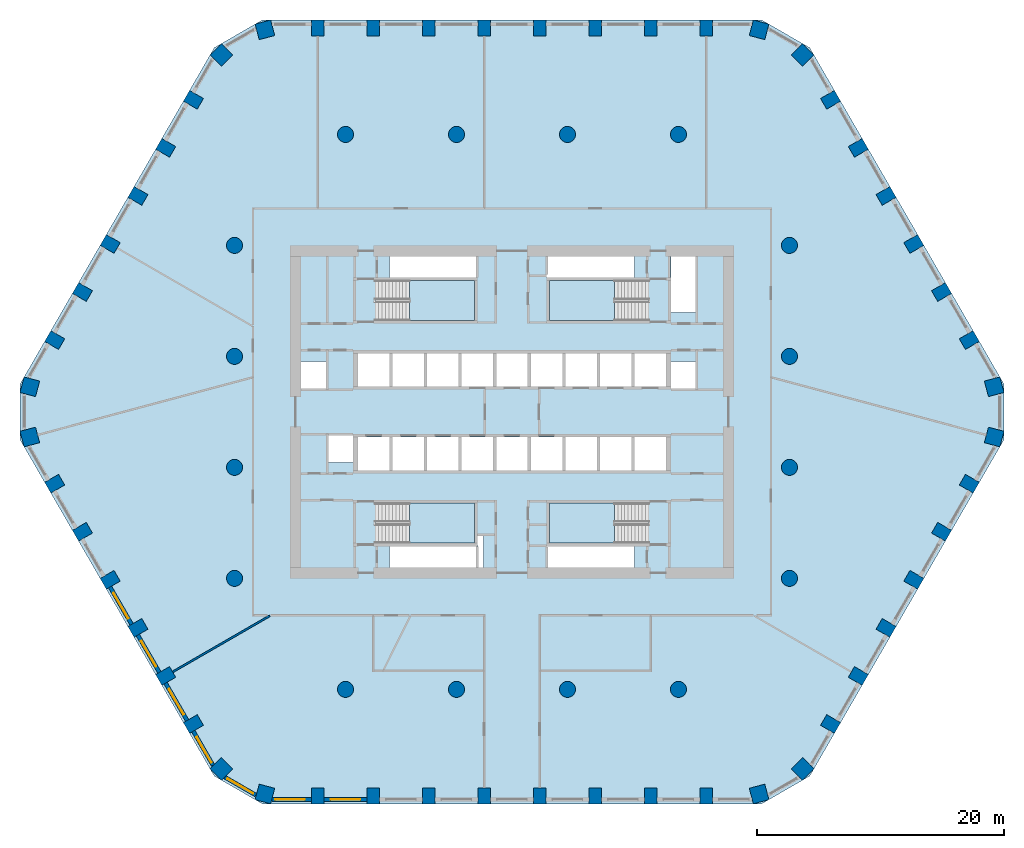
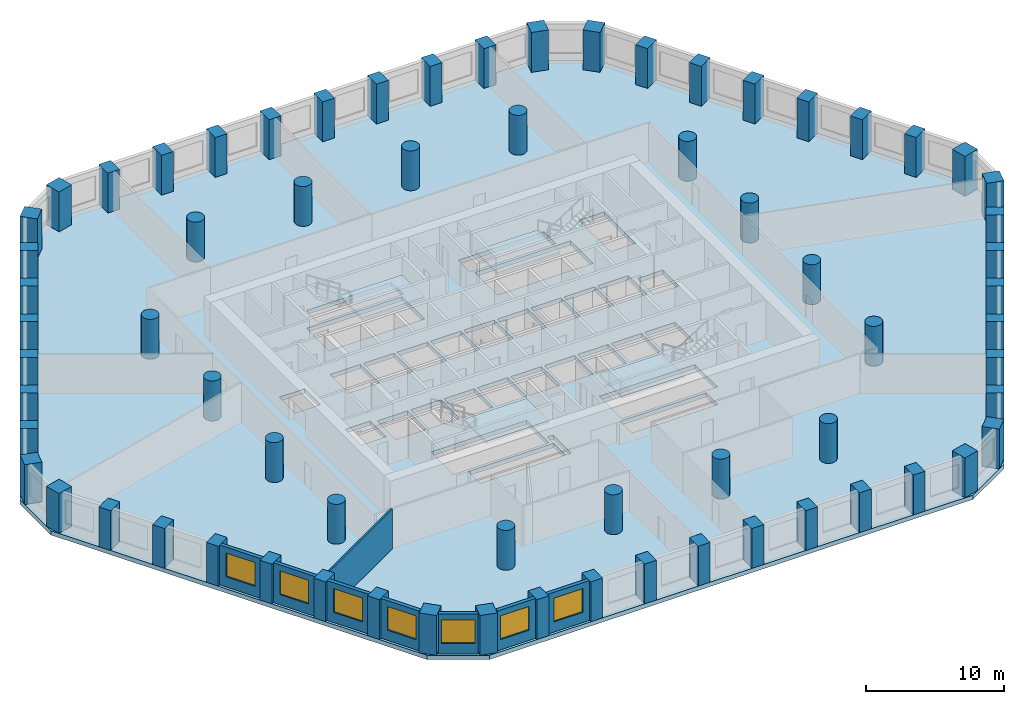
# One storey, part 1 of 9: 68 columns, 8 walls, 7 windows, 5 slabs, 7 openings, 4 elements without a shape of their own.
"""IFC4 building model written with IfcOpenShell, lengths in metres."""

from ifc_helpers import new_model, si_unit, direction, frame, frame_2d, origin, origin_2d, place, context, subcontext, project, spatial, polyline, rectangle, circle, outline, extrude, material, layer, layer_set, material_profile, profile_set, type_object, element, fill, aggregate, save


model = new_model("IFC4")

# Units and contexts
model_context = context("Model", 3, precision=1e-05, world=origin(), true_north=direction((0.0, 1.0)))
body_context = subcontext(model_context, "Body", "Model", "MODEL_VIEW")
ifc_project = project(units=[si_unit("LENGTHUNIT", "METRE"), si_unit("AREAUNIT", "SQUARE_METRE"), si_unit("VOLUMEUNIT", "CUBIC_METRE"), si_unit("PLANEANGLEUNIT", "RADIAN"), si_unit("MASSUNIT", "GRAM", prefix="KILO")], contexts=[model_context])

# Site, building, storey
site_placement = place(None, origin())
site = spatial("IfcSite", under=ifc_project, at=site_placement, CompositionType="ELEMENT")
building_placement = place(site_placement, origin())
building = spatial("IfcBuilding", under=site, at=building_placement, Name="Dhurran Vertical Campus", CompositionType="ELEMENT")
storey_placement = place(building_placement, frame((0.0, 0.0, 120.300048828125)))
storey = spatial("IfcBuildingStorey", under=building, at=storey_placement, Name="L29", CompositionType="ELEMENT", Elevation=120.300048828125)

# Columns
ifc_material_1 = material(Name="Concrete C60/75", Category="concrete")
ifc_material_profile_1 = material_profile(ifc_material_1, rectangle(XDim=1.0, YDim=1.300048828125, at=origin_2d()), Name="RC 1000x1300")
ifc_profile_set_1 = profile_set([ifc_material_profile_1], Name="Concrete C60/75")
column_type_1 = type_object("IfcColumnType", Name="FR COL RC 1000x1300 C60/75", PredefinedType="COLUMN", material=ifc_profile_set_1)
for number, where, z_axis, x_axis, name in (
    (1, (-15.75, -31.1298828125, 0.0), (0.0, 0.0, 1.0), (1.0, 0.0, 0.0), "Perimeter pier PP2.01"),
    (2, (-11.25, -31.1298828125, 0.0), (0.0, 0.0, 1.0), (1.0, 0.0, 0.0), "Perimeter pier PP2.02"),
    (3, (-6.75, -31.1298828125, 0.0), (0.0, 0.0, 1.0), (1.0, 0.0, 0.0), "Perimeter pier PP2.03"),
    (4, (-2.25, -31.1298828125, 0.0), (0.0, 0.0, 1.0), (1.0, 0.0, 0.0), "Perimeter pier PP2.04"),
    (5, (2.25, -31.1298828125, 0.0), (0.0, 0.0, 1.0), (1.0, 0.0, 0.0), "Perimeter pier PP2.05"),
    (6, (6.75, -31.1298828125, 0.0), (0.0, 0.0, 1.0), (1.0, 0.0, 0.0), "Perimeter pier PP2.06"),
    (7, (11.25, -31.1298828125, 0.0), (0.0, 0.0, 1.0), (1.0, 0.0, 0.0), "Perimeter pier PP2.07"),
    (8, (15.75, -31.1298828125, 0.0), (0.0, 0.0, 1.0), (1.0, 0.0, 0.0), "Perimeter pier PP2.08"),
    (9, (25.834228515625, -25.3076171875, 0.0), (0.0, 0.0, 1.0), (0.5, 0.866025403784, 0.0), "Perimeter pier PP2.11"),
    (10, (28.084228515625, -21.41064453125, 0.0), (0.0, 0.0, 1.0), (0.5, 0.866025403784, 0.0), "Perimeter pier PP2.12"),
    (11, (30.334228515625, -17.513427734375, 0.0), (0.0, 0.0, 1.0), (0.5, 0.866025403784, 0.0), "Perimeter pier PP2.13"),
    (12, (32.584228515625, -13.6162109375, 0.0), (0.0, 0.0, 1.0), (0.5, 0.866025403784, 0.0), "Perimeter pier PP2.14"),
    (13, (34.834228515625, -9.71923828125, 0.0), (0.0, 0.0, 1.0), (0.5, 0.866025403784, 0.0), "Perimeter pier PP2.15"),
    (14, (37.084228515625, -5.822021484375, 0.0), (0.0, 0.0, 1.0), (0.5, 0.866025403784, 0.0), "Perimeter pier PP2.16"),
    (15, (37.084228515625, 5.822021484375, 0.0), (0.0, 0.0, 1.0), (-0.5, 0.866025403784, 0.0), "Perimeter pier PP2.19"),
    (16, (34.834228515625, 9.71923828125, 0.0), (0.0, 0.0, 1.0), (-0.5, 0.866025403784, 0.0), "Perimeter pier PP2.20"),
    (17, (32.584228515625, 13.6162109375, 0.0), (0.0, 0.0, 1.0), (-0.5, 0.866025403784, 0.0), "Perimeter pier PP2.21"),
    (18, (30.334228515625, 17.513427734375, 0.0), (0.0, 0.0, 1.0), (-0.5, 0.866025403784, 0.0), "Perimeter pier PP2.22"),
    (19, (28.084228515625, 21.41064453125, 0.0), (0.0, 0.0, 1.0), (-0.5, 0.866025403784, 0.0), "Perimeter pier PP2.23"),
    (20, (25.834228515625, 25.3076171875, 0.0), (0.0, 0.0, 1.0), (-0.5, 0.866025403784, 0.0), "Perimeter pier PP2.24"),
    (21, (15.75, 31.1298828125, 0.0), (0.0, 0.0, 1.0), (-1.0, 0.0, 0.0), "Perimeter pier PP2.27"),
    (22, (11.25, 31.1298828125, 0.0), (0.0, 0.0, 1.0), (-1.0, 0.0, 0.0), "Perimeter pier PP2.28"),
    (23, (6.75, 31.1298828125, 0.0), (0.0, 0.0, 1.0), (-1.0, 0.0, 0.0), "Perimeter pier PP2.29"),
    (24, (2.25, 31.1298828125, 0.0), (0.0, 0.0, 1.0), (-1.0, 0.0, 0.0), "Perimeter pier PP2.30"),
    (25, (-2.25, 31.1298828125, 0.0), (0.0, 0.0, 1.0), (-1.0, 0.0, 0.0), "Perimeter pier PP2.31"),
    (26, (-6.75, 31.1298828125, 0.0), (0.0, 0.0, 1.0), (-1.0, 0.0, 0.0), "Perimeter pier PP2.32"),
    (27, (-11.25, 31.1298828125, 0.0), (0.0, 0.0, 1.0), (-1.0, 0.0, 0.0), "Perimeter pier PP2.33"),
    (28, (-15.75, 31.1298828125, 0.0), (0.0, 0.0, 1.0), (-1.0, 0.0, 0.0), "Perimeter pier PP2.34"),
    (29, (-25.834228515625, 25.3076171875, 0.0), (0.0, 0.0, 1.0), (-0.5, -0.866025403784, 0.0), "Perimeter pier PP2.37"),
    (30, (-28.084228515625, 21.41064453125, 0.0), (0.0, 0.0, 1.0), (-0.5, -0.866025403784, 0.0), "Perimeter pier PP2.38"),
    (31, (-30.334228515625, 17.513427734375, 0.0), (0.0, 0.0, 1.0), (-0.5, -0.866025403784, 0.0), "Perimeter pier PP2.39"),
    (32, (-32.584228515625, 13.6162109375, 0.0), (0.0, 0.0, 1.0), (-0.5, -0.866025403784, 0.0), "Perimeter pier PP2.40"),
    (33, (-34.834228515625, 9.71923828125, 0.0), (0.0, 0.0, 1.0), (-0.5, -0.866025403784, 0.0), "Perimeter pier PP2.41"),
    (34, (-37.084228515625, 5.822021484375, 0.0), (0.0, 0.0, 1.0), (-0.5, -0.866025403784, 0.0), "Perimeter pier PP2.42"),
    (35, (-37.084228515625, -5.822021484375, 0.0), (0.0, 0.0, 1.0), (0.5, -0.866025403784, 0.0), "Perimeter pier PP2.45"),
    (36, (-34.834228515625, -9.71923828125, 0.0), (0.0, 0.0, 1.0), (0.5, -0.866025403784, 0.0), "Perimeter pier PP2.46"),
    (37, (-32.584228515625, -13.6162109375, 0.0), (0.0, 0.0, 1.0), (0.5, -0.866025403784, 0.0), "Perimeter pier PP2.47"),
    (38, (-30.334228515625, -17.513427734375, 0.0), (0.0, 0.0, 1.0), (0.5, -0.866025403784, 0.0), "Perimeter pier PP2.48"),
    (39, (-28.084228515625, -21.41064453125, 0.0), (0.0, 0.0, 1.0), (0.5, -0.866025403784, 0.0), "Perimeter pier PP2.49"),
    (40, (-25.834228515625, -25.3076171875, 0.0), (0.0, 0.0, 1.0), (0.5, -0.866025403784, 0.0), "Perimeter pier PP2.50"),
):
    element("IfcColumn", number, at=place(storey_placement, frame(where, z_axis=z_axis, x_axis=x_axis)), inside=storey, type_object=column_type_1, Name=name, PredefinedType="COLUMN", context=body_context, shape_type="SweptSolid", body=[
        extrude(rectangle(XDim=1.0, YDim=1.300048828125, at=origin_2d()), origin(), (0.0, 0.0, 1.0), 3.52490234375),
    ])
ifc_material_2 = material(Name="Concrete C60/75", Category="concrete")
ifc_material_profile_2 = material_profile(ifc_material_2, rectangle(XDim=1.300048828125, YDim=1.300048828125, at=origin_2d()), Name="RC 1300x1300")
ifc_profile_set_2 = profile_set([ifc_material_profile_2], Name="Concrete C60/75")
column_type_2 = type_object("IfcColumnType", Name="FR COL RC 1300x1300 C60/75", PredefinedType="COLUMN", material=ifc_profile_set_2)
for number, where, z_axis, x_axis, name in (
    (41, (-20.03662109375, -30.983642578125, 0.0), (0.0, 0.0, 1.0), (0.965925826289, -0.258819045103, 0.0), "Perimeter pier PP2.00"),
    (42, (20.03662109375, -30.983642578125, 0.0), (0.0, 0.0, 1.0), (0.965925826289, 0.258819045103, 0.0), "Perimeter pier PP2.09"),
    (43, (23.564208984375, -28.947021484375, 0.0), (0.0, 0.0, 1.0), (0.707106781187, 0.707106781187, 0.0), "Perimeter pier PP2.10"),
    (44, (39.10107421875, -2.03662109375, 0.0), (0.0, 0.0, 1.0), (0.258819045103, 0.965925826289, 0.0), "Perimeter pier PP2.17"),
    (45, (39.10107421875, 2.03662109375, 0.0), (0.0, 0.0, 1.0), (-0.258819045103, 0.965925826289, 0.0), "Perimeter pier PP2.18"),
    (46, (23.564208984375, 28.947021484375, 0.0), (0.0, 0.0, 1.0), (-0.707106781187, 0.707106781187, 0.0), "Perimeter pier PP2.25"),
    (47, (20.03662109375, 30.983642578125, 0.0), (0.0, 0.0, 1.0), (-0.965925826289, 0.258819045103, 0.0), "Perimeter pier PP2.26"),
    (48, (-20.03662109375, 30.983642578125, 0.0), (0.0, 0.0, 1.0), (-0.965925826289, -0.258819045103, 0.0), "Perimeter pier PP2.35"),
    (49, (-23.564208984375, 28.947021484375, 0.0), (0.0, 0.0, 1.0), (-0.707106781187, -0.707106781187, 0.0), "Perimeter pier PP2.36"),
    (50, (-39.10107421875, 2.03662109375, 0.0), (0.0, 0.0, 1.0), (-0.258819045103, -0.965925826289, 0.0), "Perimeter pier PP2.43"),
    (51, (-39.10107421875, -2.03662109375, 0.0), (0.0, 0.0, 1.0), (0.258819045103, -0.965925826289, 0.0), "Perimeter pier PP2.44"),
    (52, (-23.564208984375, -28.947021484375, 0.0), (0.0, 0.0, 1.0), (0.707106781187, -0.707106781187, 0.0), "Perimeter pier PP2.51"),
):
    element("IfcColumn", number, at=place(storey_placement, frame(where, z_axis=z_axis, x_axis=x_axis)), inside=storey, type_object=column_type_2, Name=name, PredefinedType="COLUMN", context=body_context, shape_type="SweptSolid", body=[
        extrude(rectangle(XDim=1.300048828125, YDim=1.300048828125, at=origin_2d()), origin(), (0.0, 0.0, 1.0), 3.52490234375),
    ])
ifc_material_3 = material(Name="Concrete C60/75", Category="concrete")
ifc_material_profile_3 = material_profile(ifc_material_3, circle(Radius=0.64990234375, at=origin_2d()), Name="RCC D1300")
ifc_profile_set_3 = profile_set([ifc_material_profile_3], Name="Concrete C60/75")
column_type_3 = type_object("IfcColumnType", Name="FR COL RCC D1300 C60/75", PredefinedType="COLUMN", material=ifc_profile_set_3)
for number, where, z_axis, x_axis, name in (
    (53, (-22.5, -13.5, 0.0), (0.0, 0.0, 1.0), (1.0, 0.0, 0.0), "Inner column IC2-D4"),
    (54, (-22.5, -4.5, 0.0), (0.0, 0.0, 1.0), (1.0, 0.0, 0.0), "Inner column IC2-D5"),
    (55, (-22.5, 4.5, 0.0), (0.0, 0.0, 1.0), (1.0, 0.0, 0.0), "Inner column IC2-D6"),
    (56, (-22.5, 13.5, 0.0), (0.0, 0.0, 1.0), (1.0, 0.0, 0.0), "Inner column IC2-D7"),
    (57, (-13.5, -22.5, 0.0), (0.0, 0.0, 1.0), (1.0, 0.0, 0.0), "Inner column IC2-E3"),
    (58, (-13.5, 22.5, 0.0), (0.0, 0.0, 1.0), (1.0, 0.0, 0.0), "Inner column IC2-E8"),
    (59, (-4.5, -22.5, 0.0), (0.0, 0.0, 1.0), (1.0, 0.0, 0.0), "Inner column IC2-F3"),
    (60, (-4.5, 22.5, 0.0), (0.0, 0.0, 1.0), (1.0, 0.0, 0.0), "Inner column IC2-F8"),
    (61, (4.5, -22.5, 0.0), (0.0, 0.0, 1.0), (1.0, 0.0, 0.0), "Inner column IC2-G3"),
    (62, (4.5, 22.5, 0.0), (0.0, 0.0, 1.0), (1.0, 0.0, 0.0), "Inner column IC2-G8"),
    (63, (13.5, -22.5, 0.0), (0.0, 0.0, 1.0), (1.0, 0.0, 0.0), "Inner column IC2-H3"),
    (64, (13.5, 22.5, 0.0), (0.0, 0.0, 1.0), (1.0, 0.0, 0.0), "Inner column IC2-H8"),
    (65, (22.5, -13.5, 0.0), (0.0, 0.0, 1.0), (1.0, 0.0, 0.0), "Inner column IC2-J4"),
    (66, (22.5, -4.5, 0.0), (0.0, 0.0, 1.0), (1.0, 0.0, 0.0), "Inner column IC2-J5"),
    (67, (22.5, 4.5, 0.0), (0.0, 0.0, 1.0), (1.0, 0.0, 0.0), "Inner column IC2-J6"),
    (68, (22.5, 13.5, 0.0), (0.0, 0.0, 1.0), (1.0, 0.0, 0.0), "Inner column IC2-J7"),
):
    element("IfcColumn", number, at=place(storey_placement, frame(where, z_axis=z_axis, x_axis=x_axis)), inside=storey, type_object=column_type_3, Name=name, PredefinedType="COLUMN", context=body_context, shape_type="SweptSolid", body=[
        extrude(circle(Radius=0.64990234375, at=origin_2d()), origin(), (0.0, 0.0, 1.0), 3.52490234375),
    ])

# Slab
ifc_material_4 = material(Name="Concrete C40/50", Category="concrete")
ifc_layer_1 = layer(ifc_material_4, 0.375)
ifc_layer_set_1 = layer_set([ifc_layer_1], Name="Concrete C40/50")
slab_type_1 = type_object("IfcSlabType", Name="FR POST-TENSIONED FLAT SLAB 375", PredefinedType="FLOOR", material=ifc_layer_set_1)
slab_1_placement = place(storey_placement, frame((0.0, 0.0, -0.375)))
element("IfcSlab", 69, at=slab_1_placement, inside=storey, type_object=slab_type_1, Name="Floor slab L29", PredefinedType="FLOOR", context=body_context, shape_type="SweptSolid", body=[
    extrude(outline(polyline([(-20.25, -31.77978515625), (20.25, -31.77978515625), (24.147216796875, -29.52978515625), (39.897216796875, -2.25), (39.897216796875, 2.25), (24.147216796875, 29.52978515625), (20.25, 31.77978515625), (-20.25, 31.77978515625), (-24.147216796875, 29.52978515625), (-39.897216796875, 2.25), (-39.897216796875, -2.25), (-24.147216796875, -29.52978515625), (-20.25, -31.77978515625)]), holes=[polyline([(-12.47509765625, 2.050048828125), (-9.925048828125, 2.050048828125), (-9.925048828125, 4.75), (-12.47509765625, 4.75), (-12.47509765625, 2.050048828125)]), polyline([(-9.675048828125, 2.050048828125), (-7.125, 2.050048828125), (-7.125, 4.75), (-9.675048828125, 4.75), (-9.675048828125, 2.050048828125)]), polyline([(-6.875, 2.050048828125), (-4.324951171875, 2.050048828125), (-4.324951171875, 4.75), (-6.875, 4.75), (-6.875, 2.050048828125)]), polyline([(-1.27490234375, 2.050048828125), (1.27490234375, 2.050048828125), (1.27490234375, 4.75), (-1.27490234375, 4.75), (-1.27490234375, 2.050048828125)]), polyline([(9.925048828125, 2.050048828125), (12.47509765625, 2.050048828125), (12.47509765625, 4.75), (9.925048828125, 4.75), (9.925048828125, 2.050048828125)]), polyline([(-1.27490234375, -4.75), (1.27490234375, -4.75), (1.27490234375, -2.050048828125), (-1.27490234375, -2.050048828125), (-1.27490234375, -4.75)]), polyline([(1.52490234375, -4.75), (4.074951171875, -4.75), (4.074951171875, -2.050048828125), (1.52490234375, -2.050048828125), (1.52490234375, -4.75)]), polyline([(4.324951171875, -4.75), (6.875, -4.75), (6.875, -2.050048828125), (4.324951171875, -2.050048828125), (4.324951171875, -4.75)]), polyline([(7.125, -4.75), (9.675048828125, -4.75), (9.675048828125, -2.050048828125), (7.125, -2.050048828125), (7.125, -4.75)]), polyline([(9.925048828125, -4.75), (12.47509765625, -4.75), (12.47509765625, -2.050048828125), (9.925048828125, -2.050048828125), (9.925048828125, -4.75)]), polyline([(-4.074951171875, 2.050048828125), (-1.52490234375, 2.050048828125), (-1.52490234375, 4.75), (-4.074951171875, 4.75), (-4.074951171875, 2.050048828125)]), polyline([(1.52490234375, 2.050048828125), (4.074951171875, 2.050048828125), (4.074951171875, 4.75), (1.52490234375, 4.75), (1.52490234375, 2.050048828125)]), polyline([(4.324951171875, 2.050048828125), (6.875, 2.050048828125), (6.875, 4.75), (4.324951171875, 4.75), (4.324951171875, 2.050048828125)]), polyline([(7.125, 2.050048828125), (9.675048828125, 2.050048828125), (9.675048828125, 4.75), (7.125, 4.75), (7.125, 2.050048828125)]), polyline([(-12.47509765625, -4.75), (-9.925048828125, -4.75), (-9.925048828125, -2.050048828125), (-12.47509765625, -2.050048828125), (-12.47509765625, -4.75)]), polyline([(-9.675048828125, -4.75), (-7.125, -4.75), (-7.125, -2.050048828125), (-9.675048828125, -2.050048828125), (-9.675048828125, -4.75)]), polyline([(-6.875, -4.75), (-4.324951171875, -4.75), (-4.324951171875, -2.050048828125), (-6.875, -2.050048828125), (-6.875, -4.75)]), polyline([(-4.074951171875, -4.75), (-1.52490234375, -4.75), (-1.52490234375, -2.050048828125), (-4.074951171875, -2.050048828125), (-4.074951171875, -4.75)]), polyline([(-11.050048828125, 7.39990234375), (-3.050048828125, 7.39990234375), (-3.050048828125, 10.64990234375), (-11.050048828125, 10.64990234375), (-11.050048828125, 7.39990234375)]), polyline([(3.050048828125, 7.39990234375), (11.050048828125, 7.39990234375), (11.050048828125, 10.64990234375), (3.050048828125, 10.64990234375), (3.050048828125, 7.39990234375)]), polyline([(-11.050048828125, -10.64990234375), (-3.050048828125, -10.64990234375), (-3.050048828125, -7.39990234375), (-11.050048828125, -7.39990234375), (-11.050048828125, -10.64990234375)]), polyline([(3.050048828125, -10.64990234375), (11.050048828125, -10.64990234375), (11.050048828125, -7.39990234375), (3.050048828125, -7.39990234375), (3.050048828125, -10.64990234375)]), polyline([(-9.949951171875, 10.89990234375), (-9.949951171875, 12.60009765625), (-2.800048828125, 12.60009765625), (-2.800048828125, 10.89990234375), (-9.949951171875, 10.89990234375)]), polyline([(9.949951171875, 12.60009765625), (9.949951171875, 10.89990234375), (2.800048828125, 10.89990234375), (2.800048828125, 12.60009765625), (9.949951171875, 12.60009765625)]), polyline([(-9.949951171875, -12.60009765625), (-9.949951171875, -10.89990234375), (-2.800048828125, -10.89990234375), (-2.800048828125, -12.60009765625), (-9.949951171875, -12.60009765625)]), polyline([(9.949951171875, -10.89990234375), (9.949951171875, -12.60009765625), (2.800048828125, -12.60009765625), (2.800048828125, -10.89990234375), (9.949951171875, -10.89990234375)]), polyline([(-12.89990234375, -4.10009765625), (-15.0, -4.10009765625), (-15.0, -1.800048828125), (-12.89990234375, -1.800048828125), (-12.89990234375, -4.10009765625)]), polyline([(-17.10009765625, 4.10009765625), (-15.0, 4.10009765625), (-15.0, 1.800048828125), (-17.10009765625, 1.800048828125), (-17.10009765625, 4.10009765625)]), polyline([(12.89990234375, 4.10009765625), (15.0, 4.10009765625), (15.0, 1.800048828125), (12.89990234375, 1.800048828125), (12.89990234375, 4.10009765625)]), polyline([(-2.300048828125, -9.97509765625), (-2.300048828125, -12.60009765625), (-2.75, -12.60009765625), (-2.75, -10.85009765625), (-2.800048828125, -10.85009765625), (-2.800048828125, -9.97509765625), (-2.300048828125, -9.97509765625)]), polyline([(15.0, 8.050048828125), (12.89990234375, 8.050048828125), (12.89990234375, 12.60009765625), (15.0, 12.60009765625), (15.0, 8.050048828125)])]), origin(), (0.0, 0.0, 1.0), 0.375),
])

# Stair, slab
ifc_material_5 = material(Name="Concrete C40/50", Category="concrete")
stair_type = type_object("IfcStairType", Name="co-ST-CORE", PredefinedType="HALF_TURN_STAIR", material=ifc_material_5)
stair_1_placement = place(storey_placement, origin())
stair_1 = element("IfcStair", 70, at=stair_1_placement, inside=storey, type_object=stair_type, Name="L29 Protected exit stair ST1", PredefinedType="HALF_TURN_STAIR")
ifc_material_6 = material(Name="Concrete C40/50", Category="concrete")
ifc_layer_2 = layer(ifc_material_6, 0.199951171875)
ifc_layer_set_2 = layer_set([ifc_layer_2], Name="Concrete C40/50")
slab_type_2 = type_object("IfcSlabType", Name="co-SL-LANDING", PredefinedType="LANDING", material=ifc_layer_set_2)
slab_2_placement = place(storey_placement, frame((0.0, 0.0, 1.75)))
slab_2 = element("IfcSlab", 71, at=slab_2_placement, type_object=slab_type_2, Name="ST1 landing 1", PredefinedType="LANDING", context=body_context, shape_type="SweptSolid", body=[
    extrude(outline(polyline([(-8.300048828125, 7.39990234375), (-3.050048828125, 7.39990234375), (-3.050048828125, 10.64990234375), (-8.300048828125, 10.64990234375), (-8.300048828125, 7.39990234375)])), origin(), (0.0, 0.0, 1.0), 0.199951171875),
])
aggregate(stair_1, [slab_2])

stair_2_placement = place(storey_placement, origin())
stair_2 = element("IfcStair", 72, at=stair_2_placement, inside=storey, type_object=stair_type, Name="L29 Protected exit stair ST2", PredefinedType="HALF_TURN_STAIR")
slab_3_placement = place(storey_placement, frame((0.0, 0.0, 1.75)))
slab_3 = element("IfcSlab", 73, at=slab_3_placement, type_object=slab_type_2, Name="ST2 landing 1", PredefinedType="LANDING", context=body_context, shape_type="SweptSolid", body=[
    extrude(outline(polyline([(8.300048828125, 10.64990234375), (3.050048828125, 10.64990234375), (3.050048828125, 7.39990234375), (8.300048828125, 7.39990234375), (8.300048828125, 10.64990234375)])), origin(), (0.0, 0.0, 1.0), 0.199951171875),
])
aggregate(stair_2, [slab_3])

stair_3_placement = place(storey_placement, origin())
stair_3 = element("IfcStair", 74, at=stair_3_placement, inside=storey, type_object=stair_type, Name="L29 Protected exit stair ST3", PredefinedType="HALF_TURN_STAIR")
slab_4_placement = place(storey_placement, frame((0.0, 0.0, 1.75)))
slab_4 = element("IfcSlab", 75, at=slab_4_placement, type_object=slab_type_2, Name="ST3 landing 1", PredefinedType="LANDING", context=body_context, shape_type="SweptSolid", body=[
    extrude(outline(polyline([(-8.300048828125, -10.64990234375), (-3.050048828125, -10.64990234375), (-3.050048828125, -7.39990234375), (-8.300048828125, -7.39990234375), (-8.300048828125, -10.64990234375)])), origin(), (0.0, 0.0, 1.0), 0.199951171875),
])
aggregate(stair_3, [slab_4])

stair_4_placement = place(storey_placement, origin())
stair_4 = element("IfcStair", 76, at=stair_4_placement, inside=storey, type_object=stair_type, Name="L29 Protected exit stair ST4", PredefinedType="HALF_TURN_STAIR")
slab_5_placement = place(storey_placement, frame((0.0, 0.0, 1.75)))
slab_5 = element("IfcSlab", 77, at=slab_5_placement, type_object=slab_type_2, Name="ST4 landing 1", PredefinedType="LANDING", context=body_context, shape_type="SweptSolid", body=[
    extrude(outline(polyline([(8.300048828125, -7.39990234375), (3.050048828125, -7.39990234375), (3.050048828125, -10.64990234375), (8.300048828125, -10.64990234375), (8.300048828125, -7.39990234375)])), origin(), (0.0, 0.0, 1.0), 0.199951171875),
])
aggregate(stair_4, [slab_5])

# Wall, opening, window
ifc_material_7 = material(Name="Precast concrete C50/60", Category="concrete")
ifc_layer_3 = layer(ifc_material_7, 0.300048828125)
ifc_layer_set_3 = layer_set([ifc_layer_3], Name="Precast concrete C50/60")
wall_type_1 = type_object("IfcWallType", Name="Precast spandrel wall 300", PredefinedType="SOLIDWALL", material=ifc_layer_set_3)
wall_1_placement = place(storey_placement, frame((-19.44287109375, -31.4296875, 0.0), z_axis=(0.0, 0.0, 1.0), x_axis=(1.0, 0.0, 0.0)))
wall_1 = element("IfcWall", 78, at=wall_1_placement, inside=storey, type_object=wall_type_1, Name="EW1 L29.00", PredefinedType="SOLIDWALL", context=body_context, shape_type="SweptSolid", body=[
    extrude(rectangle(XDim=3.1923828125, YDim=0.300048828125, at=frame_2d((1.59619140625, 0.0))), origin(), (0.0, 0.0, 1.0), 3.52490234375),
])
opening_1_placement = place(wall_1_placement, frame((0.242919921875, 0.0, 0.89990234375)))
opening_1 = element("IfcOpeningElement", 79, at=opening_1_placement, cuts=wall_1, Name="Opening WT1", PredefinedType="OPENING", context=body_context, shape_type="SweptSolid", body=[
    extrude(rectangle(XDim=2.39990234375, YDim=2.10009765625, at=frame_2d((1.199951171875, 1.050048828125))), frame((0.0, 0.159912109375, 0.0), z_axis=(0.0, -1.0, 0.0), x_axis=(1.0, 0.0, 0.0)), (0.0, 0.0, 1.0), 0.320068359375),
])
ifc_material_8 = material(Name="Aluminium frame with solar-control glass", Category="aluminium")
window_type = type_object("IfcWindowType", Name="Punched window 2400 x 2100", PartitioningType="SINGLE_PANEL", PredefinedType="WINDOW", material=ifc_material_8)
window_1_placement = place(opening_1_placement, origin())
window_1 = element("IfcWindow", 80, at=window_1_placement, inside=storey, type_object=window_type, Name="WT1 L29.00", OverallHeight=2.10009765625, OverallWidth=2.39990234375, PartitioningType="SINGLE_PANEL", PredefinedType="WINDOW", context=body_context, shape_type="SweptSolid", body=[
    extrude(rectangle(XDim=2.39990234375, YDim=2.10009765625, at=frame_2d((1.199951171875, 1.050048828125))), frame((0.0, 0.030029296875, 0.0), z_axis=(0.0, -1.0, 0.0), x_axis=(1.0, 0.0, 0.0)), (0.0, 0.0, 1.0), 0.06005859375),
])
fill(opening_1, window_1)

wall_2_placement = place(storey_placement, frame((-15.24951171875, -31.4296875, 0.0), z_axis=(0.0, 0.0, 1.0), x_axis=(1.0, 0.0, 0.0)))
wall_2 = element("IfcWall", 81, at=wall_2_placement, inside=storey, type_object=wall_type_1, Name="EW1 L29.01", PredefinedType="SOLIDWALL", context=body_context, shape_type="SweptSolid", body=[
    extrude(rectangle(XDim=3.4990234375, YDim=0.300048828125, at=frame_2d((1.74951171875, 0.0))), origin(), (0.0, 0.0, 1.0), 3.52490234375),
])
opening_2_placement = place(wall_2_placement, frame((0.549560546875, 0.0, 0.89990234375)))
opening_2 = element("IfcOpeningElement", 82, at=opening_2_placement, cuts=wall_2, Name="Opening WT1", PredefinedType="OPENING", context=body_context, shape_type="SweptSolid", body=[
    extrude(rectangle(XDim=2.39990234375, YDim=2.10009765625, at=frame_2d((1.199951171875, 1.050048828125))), frame((0.0, 0.159912109375, 0.0), z_axis=(0.0, -1.0, 0.0), x_axis=(1.0, 0.0, 0.0)), (0.0, 0.0, 1.0), 0.320068359375),
])
window_2_placement = place(opening_2_placement, origin())
window_2 = element("IfcWindow", 83, at=window_2_placement, inside=storey, type_object=window_type, Name="WT1 L29.01", OverallHeight=2.10009765625, OverallWidth=2.39990234375, PartitioningType="SINGLE_PANEL", PredefinedType="WINDOW", context=body_context, shape_type="SweptSolid", body=[
    extrude(rectangle(XDim=2.39990234375, YDim=2.10009765625, at=frame_2d((1.199951171875, 1.050048828125))), frame((0.0, 0.030029296875, 0.0), z_axis=(0.0, -1.0, 0.0), x_axis=(1.0, 0.0, 0.0)), (0.0, 0.0, 1.0), 0.06005859375),
])
fill(opening_2, window_2)

wall_3_placement = place(storey_placement, frame((-32.59375, -14.19970703125, 0.0), z_axis=(0.0, 0.0, 1.0), x_axis=(0.499996256241, -0.866027565234, 0.0)))
wall_3 = element("IfcWall", 84, at=wall_3_placement, inside=storey, type_object=wall_type_1, Name="EW1 L29.47", PredefinedType="SOLIDWALL", context=body_context, shape_type="SweptSolid", body=[
    extrude(rectangle(XDim=3.4990234375, YDim=0.300048828125, at=frame_2d((1.74951171875, 0.0))), origin(), (0.0, 0.0, 1.0), 3.52490234375),
])
opening_3_placement = place(wall_3_placement, frame((0.549560546875, 0.0, 0.89990234375)))
opening_3 = element("IfcOpeningElement", 85, at=opening_3_placement, cuts=wall_3, Name="Opening WT1", PredefinedType="OPENING", context=body_context, shape_type="SweptSolid", body=[
    extrude(rectangle(XDim=2.39990234375, YDim=2.10009765625, at=frame_2d((1.199951171875, 1.050048828125))), frame((0.0, 0.159912109375, 0.0), z_axis=(0.0, -1.0, 0.0), x_axis=(1.0, 0.0, 0.0)), (0.0, 0.0, 1.0), 0.320068359375),
])
window_3_placement = place(opening_3_placement, origin())
window_3 = element("IfcWindow", 86, at=window_3_placement, inside=storey, type_object=window_type, Name="WT1 L29.47", OverallHeight=2.10009765625, OverallWidth=2.39990234375, PartitioningType="SINGLE_PANEL", PredefinedType="WINDOW", context=body_context, shape_type="SweptSolid", body=[
    extrude(rectangle(XDim=2.39990234375, YDim=2.10009765625, at=frame_2d((1.199951171875, 1.050048828125))), frame((0.0, 0.030029296875, 0.0), z_axis=(0.0, -1.0, 0.0), x_axis=(1.0, 0.0, 0.0)), (0.0, 0.0, 1.0), 0.06005859375),
])
fill(opening_3, window_3)

wall_4_placement = place(storey_placement, frame((-30.34375, -18.096923828125, 0.0), z_axis=(0.0, 0.0, 1.0), x_axis=(0.499996256241, -0.866027565234, 0.0)))
wall_4 = element("IfcWall", 87, at=wall_4_placement, inside=storey, type_object=wall_type_1, Name="EW1 L29.48", PredefinedType="SOLIDWALL", context=body_context, shape_type="SweptSolid", body=[
    extrude(rectangle(XDim=3.4990234375, YDim=0.300048828125, at=frame_2d((1.74951171875, 0.0))), origin(), (0.0, 0.0, 1.0), 3.52490234375),
])
opening_4_placement = place(wall_4_placement, frame((0.549560546875, 0.0, 0.89990234375)))
opening_4 = element("IfcOpeningElement", 88, at=opening_4_placement, cuts=wall_4, Name="Opening WT1", PredefinedType="OPENING", context=body_context, shape_type="SweptSolid", body=[
    extrude(rectangle(XDim=2.39990234375, YDim=2.10009765625, at=frame_2d((1.199951171875, 1.050048828125))), frame((0.0, 0.159912109375, 0.0), z_axis=(0.0, -1.0, 0.0), x_axis=(1.0, 0.0, 0.0)), (0.0, 0.0, 1.0), 0.320068359375),
])
window_4_placement = place(opening_4_placement, origin())
window_4 = element("IfcWindow", 89, at=window_4_placement, inside=storey, type_object=window_type, Name="WT1 L29.48", OverallHeight=2.10009765625, OverallWidth=2.39990234375, PartitioningType="SINGLE_PANEL", PredefinedType="WINDOW", context=body_context, shape_type="SweptSolid", body=[
    extrude(rectangle(XDim=2.39990234375, YDim=2.10009765625, at=frame_2d((1.199951171875, 1.050048828125))), frame((0.0, 0.030029296875, 0.0), z_axis=(0.0, -1.0, 0.0), x_axis=(1.0, 0.0, 0.0)), (0.0, 0.0, 1.0), 0.06005859375),
])
fill(opening_4, window_4)

wall_5_placement = place(storey_placement, frame((-28.09375, -21.993896484375, 0.0), z_axis=(0.0, 0.0, 1.0), x_axis=(0.499996256241, -0.866027565234, 0.0)))
wall_5 = element("IfcWall", 90, at=wall_5_placement, inside=storey, type_object=wall_type_1, Name="EW1 L29.49", PredefinedType="SOLIDWALL", context=body_context, shape_type="SweptSolid", body=[
    extrude(rectangle(XDim=3.4990234375, YDim=0.300048828125, at=frame_2d((1.74951171875, 0.0))), origin(), (0.0, 0.0, 1.0), 3.52490234375),
])
opening_5_placement = place(wall_5_placement, frame((0.549560546875, 0.0, 0.89990234375)))
opening_5 = element("IfcOpeningElement", 91, at=opening_5_placement, cuts=wall_5, Name="Opening WT1", PredefinedType="OPENING", context=body_context, shape_type="SweptSolid", body=[
    extrude(rectangle(XDim=2.39990234375, YDim=2.10009765625, at=frame_2d((1.199951171875, 1.050048828125))), frame((0.0, 0.159912109375, 0.0), z_axis=(0.0, -1.0, 0.0), x_axis=(1.0, 0.0, 0.0)), (0.0, 0.0, 1.0), 0.320068359375),
])
window_5_placement = place(opening_5_placement, origin())
window_5 = element("IfcWindow", 92, at=window_5_placement, inside=storey, type_object=window_type, Name="WT1 L29.49", OverallHeight=2.10009765625, OverallWidth=2.39990234375, PartitioningType="SINGLE_PANEL", PredefinedType="WINDOW", context=body_context, shape_type="SweptSolid", body=[
    extrude(rectangle(XDim=2.39990234375, YDim=2.10009765625, at=frame_2d((1.199951171875, 1.050048828125))), frame((0.0, 0.030029296875, 0.0), z_axis=(0.0, -1.0, 0.0), x_axis=(1.0, 0.0, 0.0)), (0.0, 0.0, 1.0), 0.06005859375),
])
fill(opening_5, window_5)

wall_6_placement = place(storey_placement, frame((-25.84375, -25.89111328125, 0.0), z_axis=(0.0, 0.0, 1.0), x_axis=(0.500004907028, -0.866022570692, 0.0)))
wall_6 = element("IfcWall", 93, at=wall_6_placement, inside=storey, type_object=wall_type_1, Name="EW1 L29.50", PredefinedType="SOLIDWALL", context=body_context, shape_type="SweptSolid", body=[
    extrude(rectangle(XDim=3.1923828125, YDim=0.300048828125, at=frame_2d((1.59619140625, 0.0))), origin(), (0.0, 0.0, 1.0), 3.52490234375),
])
opening_6_placement = place(wall_6_placement, frame((0.549560546875, 0.0, 0.89990234375)))
opening_6 = element("IfcOpeningElement", 94, at=opening_6_placement, cuts=wall_6, Name="Opening WT1", PredefinedType="OPENING", context=body_context, shape_type="SweptSolid", body=[
    extrude(rectangle(XDim=2.39990234375, YDim=2.10009765625, at=frame_2d((1.199951171875, 1.050048828125))), frame((0.0, 0.159912109375, 0.0), z_axis=(0.0, -1.0, 0.0), x_axis=(1.0, 0.0, 0.0)), (0.0, 0.0, 1.0), 0.320068359375),
])
window_6_placement = place(opening_6_placement, origin())
window_6 = element("IfcWindow", 95, at=window_6_placement, inside=storey, type_object=window_type, Name="WT1 L29.50", OverallHeight=2.10009765625, OverallWidth=2.39990234375, PartitioningType="SINGLE_PANEL", PredefinedType="WINDOW", context=body_context, shape_type="SweptSolid", body=[
    extrude(rectangle(XDim=2.39990234375, YDim=2.10009765625, at=frame_2d((1.199951171875, 1.050048828125))), frame((0.0, 0.030029296875, 0.0), z_axis=(0.0, -1.0, 0.0), x_axis=(1.0, 0.0, 0.0)), (0.0, 0.0, 1.0), 0.06005859375),
])
fill(opening_6, window_6)

wall_7_placement = place(storey_placement, frame((-23.273193359375, -29.63037109375, 0.0), z_axis=(0.0, 0.0, 1.0), x_axis=(0.866053149362, -0.49995194017, 0.0)))
wall_7 = element("IfcWall", 96, at=wall_7_placement, inside=storey, type_object=wall_type_1, Name="EW1 L29.51", PredefinedType="SOLIDWALL", context=body_context, shape_type="SweptSolid", body=[
    extrude(rectangle(XDim=2.885498046875, YDim=0.300048828125, at=frame_2d((1.44287109375, 0.0))), origin(), (0.0, 0.0, 1.0), 3.52490234375),
])
opening_7_placement = place(wall_7_placement, frame((0.242919921875, 0.0, 0.89990234375)))
opening_7 = element("IfcOpeningElement", 97, at=opening_7_placement, cuts=wall_7, Name="Opening WT1", PredefinedType="OPENING", context=body_context, shape_type="SweptSolid", body=[
    extrude(rectangle(XDim=2.39990234375, YDim=2.10009765625, at=frame_2d((1.199951171875, 1.050048828125))), frame((0.0, 0.159912109375, 0.0), z_axis=(0.0, -1.0, 0.0), x_axis=(1.0, 0.0, 0.0)), (0.0, 0.0, 1.0), 0.320068359375),
])
window_7_placement = place(opening_7_placement, origin())
window_7 = element("IfcWindow", 98, at=window_7_placement, inside=storey, type_object=window_type, Name="WT1 L29.51", OverallHeight=2.10009765625, OverallWidth=2.39990234375, PartitioningType="SINGLE_PANEL", PredefinedType="WINDOW", context=body_context, shape_type="SweptSolid", body=[
    extrude(rectangle(XDim=2.39990234375, YDim=2.10009765625, at=frame_2d((1.199951171875, 1.050048828125))), frame((0.0, 0.030029296875, 0.0), z_axis=(0.0, -1.0, 0.0), x_axis=(1.0, 0.0, 0.0)), (0.0, 0.0, 1.0), 0.06005859375),
])
fill(opening_7, window_7)

# Wall
ifc_material_9 = material(Name="Gypsum board partition on steel studs", Category="steel")
ifc_layer_4 = layer(ifc_material_9, 0.14990234375)
ifc_layer_set_4 = layer_set([ifc_layer_4], Name="Gypsum board partition on steel studs")
wall_type_2 = type_object("IfcWallType", Name="fl-PW-150 fixed partition", PredefinedType="PARTITIONING", material=ifc_layer_set_4)
wall_8_placement = place(storey_placement, frame((-19.643798828125, -16.53759765625, 0.0), z_axis=(0.0, 0.0, 1.0), x_axis=(-0.866004606565, -0.500036020111, 0.0)))
element("IfcWall", 99, at=wall_8_placement, inside=storey, type_object=wall_type_2, Name="Partition 29-03", PredefinedType="PARTITIONING", context=body_context, shape_type="SweptSolid", body=[
    extrude(rectangle(XDim=9.075927734375, YDim=0.14990234375, at=frame_2d((4.5380859375, 0.0))), origin(), (0.0, 0.0, 1.0), 3.52490234375),
])

save(model, "model.ifc")
